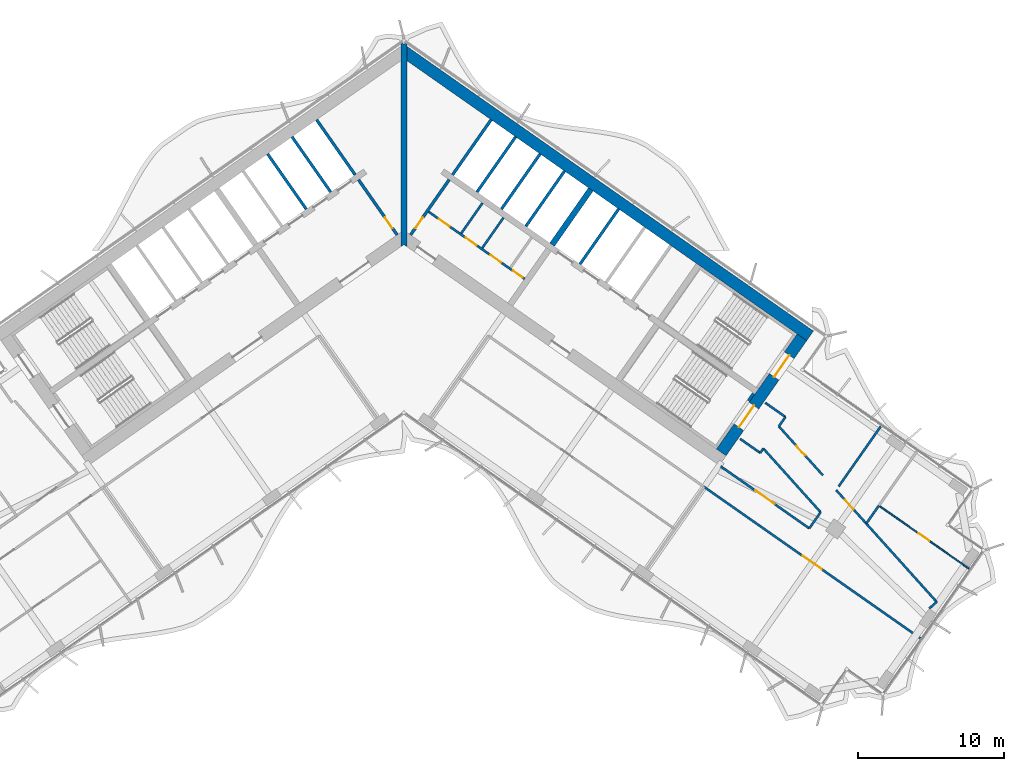
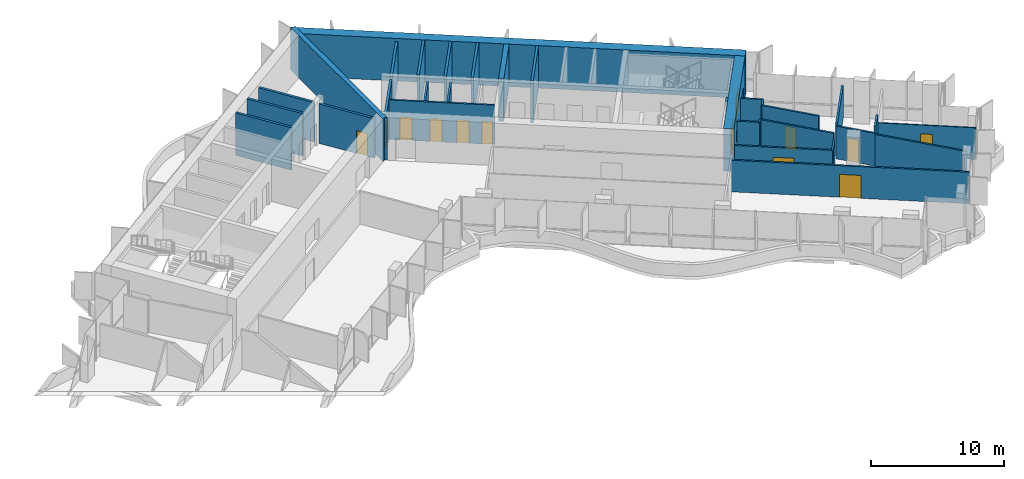
# One storey, part 14 of 22: 33 walls, 13 doors, 13 openings.
"""IFC4 building model written with IfcOpenShell, lengths in metres."""

from ifc_helpers import new_model, si_unit, direction, frame, frame_2d, origin, place, context, subcontext, project, spatial, polyline, rectangle, outline, extrude, material, layer, layer_set, type_object, element, fill, save


model = new_model("IFC4")

# Units and contexts
model_context = context("Model", 3, precision=1e-05, world=origin(), true_north=direction((0.0, 1.0)))
body_context = subcontext(model_context, "Body", "Model", "MODEL_VIEW")
ifc_project = project(units=[si_unit("LENGTHUNIT", "METRE"), si_unit("AREAUNIT", "SQUARE_METRE"), si_unit("VOLUMEUNIT", "CUBIC_METRE"), si_unit("PLANEANGLEUNIT", "RADIAN"), si_unit("MASSUNIT", "GRAM", prefix="KILO")], contexts=[model_context])

# Site, building, storey
site_placement = place(None, origin())
site = spatial("IfcSite", under=ifc_project, at=site_placement, CompositionType="ELEMENT")
building_placement = place(site_placement, origin())
building = spatial("IfcBuilding", under=site, at=building_placement, Name="Tel Ilan Convention Tower", CompositionType="ELEMENT")
storey_placement = place(building_placement, frame((0.0, 0.0, 135.89990234375)))
storey = spatial("IfcBuildingStorey", under=building, at=storey_placement, Name="L30", CompositionType="ELEMENT", Elevation=135.89990234375)

# Wall, openings, doors
ifc_material_1 = material(Name="Gypsum Plasterboard on Steel Stud", Category="steel")
ifc_layer_1 = layer(ifc_material_1, 0.14990234375)
ifc_layer_set_1 = layer_set([ifc_layer_1], Name="Core Room Partition Wall 150 mm EI 60")
wall_type_1 = type_object("IfcWallType", Name="Core Room Partition Wall 150 mm EI 60", PredefinedType="PARTITIONING", material=ifc_layer_set_1)
wall_1_placement = place(storey_placement, frame((1.687744140625, 1.015625, 0.0), z_axis=(0.0, 0.0, 1.0), x_axis=(0.819151624752, -0.573577035512, 0.0)))
wall_1 = element("IfcWall", 1, at=wall_1_placement, inside=storey, type_object=wall_type_1, Name="L30 core wall wc-h1", PredefinedType="PARTITIONING", context=body_context, shape_type="SweptSolid", body=[
    extrude(rectangle(XDim=8.0, YDim=0.14990234375, at=frame_2d((4.0, 0.0))), origin(), (0.0, 0.0, 1.0), 3.6201171875),
])
opening_1_placement = place(wall_1_placement, frame((0.85009765625, 0.0, 0.0)))
opening_1 = element("IfcOpeningElement", 2, at=opening_1_placement, cuts=wall_1, Name="Opening CD2411", PredefinedType="OPENING", context=body_context, shape_type="SweptSolid", body=[
    extrude(rectangle(XDim=0.89990234375, YDim=2.10009765625, at=frame_2d((0.449951171875, 1.050048828125))), frame((0.0, 0.0849609375, 0.0), z_axis=(0.0, -1.0, 0.0), x_axis=(1.0, 0.0, 0.0)), (0.0, 0.0, 1.0), 0.169921875),
])
opening_2_placement = place(wall_1_placement, frame((3.10009765625, 0.0, 0.0)))
opening_2 = element("IfcOpeningElement", 3, at=opening_2_placement, cuts=wall_1, Name="Opening CD2408", PredefinedType="OPENING", context=body_context, shape_type="SweptSolid", body=[
    extrude(rectangle(XDim=0.89990234375, YDim=2.10009765625, at=frame_2d((0.449951171875, 1.050048828125))), frame((0.0, 0.0849609375, 0.0), z_axis=(0.0, -1.0, 0.0), x_axis=(1.0, 0.0, 0.0)), (0.0, 0.0, 1.0), 0.169921875),
])
opening_3_placement = place(wall_1_placement, frame((5.14990234375, 0.0, 0.0)))
opening_3 = element("IfcOpeningElement", 4, at=opening_3_placement, cuts=wall_1, Name="Opening CD2410", PredefinedType="OPENING", context=body_context, shape_type="SweptSolid", body=[
    extrude(rectangle(XDim=0.89990234375, YDim=2.10009765625, at=frame_2d((0.449951171875, 1.050048828125))), frame((0.0, 0.0849609375, 0.0), z_axis=(0.0, -1.0, 0.0), x_axis=(1.0, 0.0, 0.0)), (0.0, 0.0, 1.0), 0.169921875),
])
opening_4_placement = place(wall_1_placement, frame((7.02490234375, 0.0, 0.0)))
opening_4 = element("IfcOpeningElement", 5, at=opening_4_placement, cuts=wall_1, Name="Opening CD2409", PredefinedType="OPENING", context=body_context, shape_type="SweptSolid", body=[
    extrude(rectangle(XDim=0.800048828125, YDim=2.10009765625, at=frame_2d((0.39990234375, 1.050048828125))), frame((0.0, 0.0849609375, 0.0), z_axis=(0.0, -1.0, 0.0), x_axis=(1.0, 0.0, 0.0)), (0.0, 0.0, 1.0), 0.169921875),
])
ifc_material_2 = material(Name="Galvanised Steel Door Leaf", Category="steel")
door_type_1 = type_object("IfcDoorType", Name="Store Door 800 x 2100 FD60", OperationType="NOTDEFINED", PredefinedType="DOOR", material=ifc_material_2)
door_1_placement = place(opening_4_placement, origin())
door_1 = element("IfcDoor", 6, at=door_1_placement, inside=storey, type_object=door_type_1, Name="Cleaner's store door", OperationType="SINGLE_SWING_RIGHT", OverallHeight=2.10009765625, OverallWidth=0.800048828125, PredefinedType="DOOR", context=body_context, shape_type="SweptSolid", body=[
    extrude(rectangle(XDim=0.800048828125, YDim=2.10009765625, at=frame_2d((0.39990234375, 1.050048828125))), frame((0.0, 0.02490234375, 0.0), z_axis=(0.0, -1.0, 0.0), x_axis=(1.0, 0.0, 0.0)), (0.0, 0.0, 1.0), 0.050048828125),
])
fill(opening_4, door_1)
ifc_material_3 = material(Name="Laminated Timber Door Leaf", Category="wood")
door_type_2 = type_object("IfcDoorType", Name="Toilet Door 900 x 2100 FD30S", OperationType="NOTDEFINED", PredefinedType="DOOR", material=ifc_material_3)
door_2_placement = place(opening_1_placement, origin())
door_2 = element("IfcDoor", 7, at=door_2_placement, inside=storey, type_object=door_type_2, Name="Women's WC door", OperationType="SINGLE_SWING_RIGHT", OverallHeight=2.10009765625, OverallWidth=0.89990234375, PredefinedType="DOOR", context=body_context, shape_type="SweptSolid", body=[
    extrude(rectangle(XDim=0.89990234375, YDim=2.10009765625, at=frame_2d((0.449951171875, 1.050048828125))), frame((0.0, 0.02490234375, 0.0), z_axis=(0.0, -1.0, 0.0), x_axis=(1.0, 0.0, 0.0)), (0.0, 0.0, 1.0), 0.050048828125),
])
fill(opening_1, door_2)
door_3_placement = place(opening_2_placement, origin())
door_3 = element("IfcDoor", 8, at=door_3_placement, inside=storey, type_object=door_type_2, Name="Accessible WC door", OperationType="SINGLE_SWING_RIGHT", OverallHeight=2.10009765625, OverallWidth=0.89990234375, PredefinedType="DOOR", context=body_context, shape_type="SweptSolid", body=[
    extrude(rectangle(XDim=0.89990234375, YDim=2.10009765625, at=frame_2d((0.449951171875, 1.050048828125))), frame((0.0, 0.02490234375, 0.0), z_axis=(0.0, -1.0, 0.0), x_axis=(1.0, 0.0, 0.0)), (0.0, 0.0, 1.0), 0.050048828125),
])
fill(opening_2, door_3)
door_4_placement = place(opening_3_placement, origin())
door_4 = element("IfcDoor", 9, at=door_4_placement, inside=storey, type_object=door_type_2, Name="Men's WC door", OperationType="SINGLE_SWING_RIGHT", OverallHeight=2.10009765625, OverallWidth=0.89990234375, PredefinedType="DOOR", context=body_context, shape_type="SweptSolid", body=[
    extrude(rectangle(XDim=0.89990234375, YDim=2.10009765625, at=frame_2d((0.449951171875, 1.050048828125))), frame((0.0, 0.02490234375, 0.0), z_axis=(0.0, -1.0, 0.0), x_axis=(1.0, 0.0, 0.0)), (0.0, 0.0, 1.0), 0.050048828125),
])
fill(opening_3, door_4)

# Walls
for number, where, z_axis, x_axis, name in (
    (10, (3.922119140625, -0.457275390625, 0.0), (0.0, 0.0, 1.0), (0.573566168143, 0.81915923407, 0.0), "L30 core wall wc-v0"),
    (11, (5.35546875, -1.4609375, 0.0), (0.0, 0.0, 1.0), (0.573566168143, 0.81915923407, 0.0), "L30 core wall wc-v1"),
):
    element("IfcWall", number, at=place(storey_placement, frame(where, z_axis=z_axis, x_axis=x_axis)), inside=storey, type_object=wall_type_1, Name=name, PredefinedType="PARTITIONING", context=body_context, shape_type="SweptSolid", body=[
        extrude(rectangle(XDim=2.52490234375, YDim=0.14990234375, at=frame_2d((1.262451171875, 0.0))), origin(), (0.0, 0.0, 1.0), 3.6201171875),
    ])

# Wall, opening, door
ifc_material_4 = material(Name="Concrete C30/37", Category="concrete")
ifc_layer_2 = layer(ifc_material_4, 0.199951171875)
ifc_layer_set_2 = layer_set([ifc_layer_2], Name="Core Service Room Wall 200 mm C30/37")
wall_type_2 = type_object("IfcWallType", Name="Core Service Room Wall 200 mm C30/37", PredefinedType="SOLIDWALL", material=ifc_layer_set_2)
wall_2_placement = place(storey_placement, frame((-0.458740234375, -0.565185546875, 0.0), z_axis=(0.0, 0.0, 1.0), x_axis=(-0.573576324356, 0.819152122709, 0.0)))
wall_2 = element("IfcWall", 12, at=wall_2_placement, inside=storey, type_object=wall_type_2, Name="L30 core wall apex-W", PredefinedType="SOLIDWALL", context=body_context, shape_type="SweptSolid", body=[
    extrude(rectangle(XDim=4.599853515625, YDim=0.199951171875, at=frame_2d((2.2998046875, 0.0))), origin(), (0.0, 0.0, 1.0), 3.6201171875),
])
opening_5_placement = place(wall_2_placement, frame((0.550048828125, 0.0, 0.0)))
opening_5 = element("IfcOpeningElement", 13, at=opening_5_placement, cuts=wall_2, Name="Opening CD2402", PredefinedType="OPENING", context=body_context, shape_type="SweptSolid", body=[
    extrude(rectangle(XDim=0.89990234375, YDim=2.10009765625, at=frame_2d((0.449951171875, 1.050048828125))), frame((0.0, 0.10986328125, 0.0), z_axis=(0.0, -1.0, 0.0), x_axis=(1.0, 0.0, 0.0)), (0.0, 0.0, 1.0), 0.219970703125),
])
ifc_material_5 = material(Name="Galvanised Steel Door Leaf", Category="steel")
door_type_3 = type_object("IfcDoorType", Name="Service Room Door 900 x 2100 FD60", OperationType="NOTDEFINED", PredefinedType="DOOR", material=ifc_material_5)
door_5_placement = place(opening_5_placement, origin())
door_5 = element("IfcDoor", 14, at=door_5_placement, inside=storey, type_object=door_type_3, Name="Telecom Room door", OperationType="SINGLE_SWING_RIGHT", OverallHeight=2.10009765625, OverallWidth=0.89990234375, PredefinedType="DOOR", context=body_context, shape_type="SweptSolid", body=[
    extrude(rectangle(XDim=0.89990234375, YDim=2.10009765625, at=frame_2d((0.449951171875, 1.050048828125))), frame((0.0, 0.02490234375, 0.0), z_axis=(0.0, -1.0, 0.0), x_axis=(1.0, 0.0, 0.0)), (0.0, 0.0, 1.0), 0.050048828125),
])
fill(opening_5, door_5)

# Wall
wall_3_placement = place(storey_placement, frame((-3.32666015625, 3.530517578125, 0.0), z_axis=(0.0, 0.0, 1.0), x_axis=(-0.573576324356, 0.819152122709, 0.0)))
element("IfcWall", 15, at=wall_3_placement, inside=storey, type_object=wall_type_2, Name="L30 core wall apex-W-b", PredefinedType="SOLIDWALL", context=body_context, shape_type="SweptSolid", body=[
    extrude(rectangle(XDim=4.599853515625, YDim=0.199951171875, at=frame_2d((2.2998046875, 0.0))), origin(), (0.0, 0.0, 1.0), 3.6201171875),
])

# Wall, opening, door
wall_4_placement = place(storey_placement, frame((0.458740234375, -0.565185546875, 0.0), z_axis=(0.0, 0.0, 1.0), x_axis=(0.573576324356, 0.819152122709, 0.0)))
wall_4 = element("IfcWall", 16, at=wall_4_placement, inside=storey, type_object=wall_type_2, Name="L30 core wall apex-E", PredefinedType="SOLIDWALL", context=body_context, shape_type="SweptSolid", body=[
    extrude(rectangle(XDim=4.599853515625, YDim=0.199951171875, at=frame_2d((2.2998046875, 0.0))), origin(), (0.0, 0.0, 1.0), 3.6201171875),
])
opening_6_placement = place(wall_4_placement, frame((0.550048828125, 0.0, 0.0)))
opening_6 = element("IfcOpeningElement", 17, at=opening_6_placement, cuts=wall_4, Name="Opening CD2401", PredefinedType="OPENING", context=body_context, shape_type="SweptSolid", body=[
    extrude(rectangle(XDim=0.89990234375, YDim=2.10009765625, at=frame_2d((0.449951171875, 1.050048828125))), frame((0.0, 0.10986328125, 0.0), z_axis=(0.0, -1.0, 0.0), x_axis=(1.0, 0.0, 0.0)), (0.0, 0.0, 1.0), 0.219970703125),
])
door_6_placement = place(opening_6_placement, origin())
door_6 = element("IfcDoor", 18, at=door_6_placement, inside=storey, type_object=door_type_3, Name="Data Room door", OperationType="SINGLE_SWING_RIGHT", OverallHeight=2.10009765625, OverallWidth=0.89990234375, PredefinedType="DOOR", context=body_context, shape_type="SweptSolid", body=[
    extrude(rectangle(XDim=0.89990234375, YDim=2.10009765625, at=frame_2d((0.449951171875, 1.050048828125))), frame((0.0, 0.02490234375, 0.0), z_axis=(0.0, -1.0, 0.0), x_axis=(1.0, 0.0, 0.0)), (0.0, 0.0, 1.0), 0.050048828125),
])
fill(opening_6, door_6)

# Walls
wall_5_placement = place(storey_placement, frame((3.32666015625, 3.530517578125, 0.0), z_axis=(0.0, 0.0, 1.0), x_axis=(0.573576324356, 0.819152122709, 0.0)))
element("IfcWall", 19, at=wall_5_placement, inside=storey, type_object=wall_type_2, Name="L30 core wall apex-E-b", PredefinedType="SOLIDWALL", context=body_context, shape_type="SweptSolid", body=[
    extrude(rectangle(XDim=4.599853515625, YDim=0.199951171875, at=frame_2d((2.2998046875, 0.0))), origin(), (0.0, 0.0, 1.0), 3.6201171875),
])
ifc_material_6 = material(Name="Concrete C50/60", Category="concrete")
ifc_layer_3 = layer(ifc_material_6, 0.39990234375)
ifc_layer_set_3 = layer_set([ifc_layer_3], Name="Core Shear Wall 400 mm C50/60")
wall_type_3 = type_object("IfcWallType", Name="Core Shear Wall 400 mm C50/60", PredefinedType="SHEAR", material=ifc_layer_set_3)
wall_6_placement = place(storey_placement, frame((10.12548828125, -1.230224609375, 0.0), z_axis=(0.0, 0.0, 1.0), x_axis=(0.573576324356, 0.819152122709, 0.0)))
element("IfcWall", 20, at=wall_6_placement, inside=storey, type_object=wall_type_3, Name="L30 core wall E-cross1-2", PredefinedType="SHEAR", context=body_context, shape_type="SweptSolid", body=[
    extrude(outline(polyline([(4.599853515625, -0.199951171875), (4.60009765625, 0.199951171875), (0.0, 0.199951171875), (0.0, -0.2001953125), (4.599853515625, -0.199951171875)])), origin(), (0.0, 0.0, 1.0), 3.900146484375),
])
wall_7_placement = place(storey_placement, frame((0.0, -1.36083984375, 0.0), z_axis=(0.0, 0.0, 1.0), x_axis=(0.0, 1.0, 0.0)))
element("IfcWall", 21, at=wall_7_placement, inside=storey, type_object=wall_type_3, Name="L30 core wall K-central", PredefinedType="SHEAR", context=body_context, shape_type="SweptSolid", body=[
    extrude(outline(polyline([(0.0, -0.199951171875), (0.14013671875, -0.199951171875), (1.0751953125, -0.199951171875), (12.696044921875, -0.199951171875), (13.812744140625, -0.199951171875), (13.893310546875, -0.199951171875), (13.933349609375, -0.172119140625), (13.812744140625, 0.0), (13.933349609375, 0.172119140625), (13.893310546875, 0.199951171875), (13.812744140625, 0.199951171875), (12.696044921875, 0.199951171875), (1.0751953125, 0.199951171875), (0.14013671875, 0.199951171875), (0.0, 0.199951171875), (0.14013671875, 0.0), (0.0, -0.199951171875)])), origin(), (0.0, 0.0, 1.0), 3.900146484375),
])
ifc_material_7 = material(Name="Concrete C50/60", Category="concrete")
ifc_layer_4 = layer(ifc_material_7, 0.800048828125)
ifc_layer_set_4 = layer_set([ifc_layer_4], Name="Core Shear Wall 800 mm C50/60")
wall_type_4 = type_object("IfcWallType", Name="Core Shear Wall 800 mm C50/60", PredefinedType="SHEAR", material=ifc_layer_set_4)
wall_8_placement = place(storey_placement, frame((-0.029296875, 11.984130859375, 0.0), z_axis=(0.0, 0.0, 1.0), x_axis=(0.819151382952, -0.573577380837, 0.0)))
element("IfcWall", 22, at=wall_8_placement, inside=storey, type_object=wall_type_4, Name="L30 core wall E-back", PredefinedType="SHEAR", context=body_context, shape_type="SweptSolid", body=[
    extrude(outline(polyline([(33.897705078125, 0.400146484375), (-0.000244140625, 0.39990234375), (0.56005859375, -0.400146484375), (33.897705078125, -0.39990234375), (33.897705078125, 0.400146484375)])), origin(), (0.0, 0.0, 1.0), 3.900146484375),
])

# Wall, openings, doors
wall_9_placement = place(storey_placement, frame((21.6748046875, -15.4208984375, 0.0), z_axis=(0.0, 0.0, 1.0), x_axis=(0.573581815061, 0.819148278049, 0.0)))
wall_9 = element("IfcWall", 23, at=wall_9_placement, inside=storey, type_object=wall_type_4, Name="L30 core wall E-end", PredefinedType="SHEAR", context=body_context, shape_type="SweptSolid", body=[
    extrude(outline(polyline([(9.599853515625, 0.400146484375), (0.0, 0.39990234375), (0.0, -0.39990234375), (9.599853515625, -0.39990234375), (9.599853515625, 0.400146484375)])), origin(), (0.0, 0.0, 1.0), 3.900146484375),
])
opening_7_placement = place(wall_9_placement, frame((6.300048828125, 0.0, 0.0)))
opening_7 = element("IfcOpeningElement", 24, at=opening_7_placement, cuts=wall_9, Name="Opening SD2403", PredefinedType="OPENING", context=body_context, shape_type="SweptSolid", body=[
    extrude(rectangle(XDim=1.800048828125, YDim=2.10009765625, at=frame_2d((0.89990234375, 1.050048828125))), frame((0.0, 0.409912109375, 0.0), z_axis=(0.0, -1.0, 0.0), x_axis=(1.0, 0.0, 0.0)), (0.0, 0.0, 1.0), 0.820068359375),
])
opening_8_placement = place(wall_9_placement, frame((2.10009765625, 0.0, 0.0)))
opening_8 = element("IfcOpeningElement", 25, at=opening_8_placement, cuts=wall_9, Name="Opening SD2404", PredefinedType="OPENING", context=body_context, shape_type="SweptSolid", body=[
    extrude(rectangle(XDim=1.800048828125, YDim=2.10009765625, at=frame_2d((0.89990234375, 1.050048828125))), frame((0.0, 0.409912109375, 0.0), z_axis=(0.0, -1.0, 0.0), x_axis=(1.0, 0.0, 0.0)), (0.0, 0.0, 1.0), 0.820068359375),
])
ifc_material_8 = material(Name="Galvanised Steel Door Leaf", Category="steel")
door_type_4 = type_object("IfcDoorType", Name="Stair Fire Door 1800 x 2100 FD60S", OperationType="NOTDEFINED", PredefinedType="DOOR", material=ifc_material_8)
door_7_placement = place(opening_7_placement, origin())
door_7 = element("IfcDoor", 26, at=door_7_placement, inside=storey, type_object=door_type_4, Name="Stair S3 door", OperationType="DOUBLE_DOOR_SINGLE_SWING", OverallHeight=2.10009765625, OverallWidth=1.800048828125, PredefinedType="DOOR", context=body_context, shape_type="SweptSolid", body=[
    extrude(rectangle(XDim=1.800048828125, YDim=2.10009765625, at=frame_2d((0.89990234375, 1.050048828125))), frame((0.0, 0.02490234375, 0.0), z_axis=(0.0, -1.0, 0.0), x_axis=(1.0, 0.0, 0.0)), (0.0, 0.0, 1.0), 0.050048828125),
])
fill(opening_7, door_7)
door_8_placement = place(opening_8_placement, origin())
door_8 = element("IfcDoor", 27, at=door_8_placement, inside=storey, type_object=door_type_4, Name="Stair S4 door", OperationType="DOUBLE_DOOR_SINGLE_SWING", OverallHeight=2.10009765625, OverallWidth=1.800048828125, PredefinedType="DOOR", context=body_context, shape_type="SweptSolid", body=[
    extrude(rectangle(XDim=1.800048828125, YDim=2.10009765625, at=frame_2d((0.89990234375, 1.050048828125))), frame((0.0, 0.02490234375, 0.0), z_axis=(0.0, -1.0, 0.0), x_axis=(1.0, 0.0, 0.0)), (0.0, 0.0, 1.0), 0.050048828125),
])
fill(opening_8, door_8)

# Wall, opening, door
ifc_material_9 = material(Name="Plasterboard on Steel Studs", Category="steel")
ifc_layer_5 = layer(ifc_material_9, 0.14990234375)
ifc_layer_set_5 = layer_set([ifc_layer_5], Name="Fire-rated Partition 150 EI 60")
wall_type_5 = type_object("IfcWallType", Name="Fire-rated Partition 150 EI 60", PredefinedType="PARTITIONING", material=ifc_layer_set_5)
wall_10_placement = place(storey_placement, frame((21.641845703125, -16.37451171875, 0.0), z_axis=(0.0, 0.0, 1.0), x_axis=(0.819148008851, -0.573582199511, 0.0)))
wall_10 = element("IfcWall", 28, at=wall_10_placement, inside=storey, type_object=wall_type_5, Name="Partition 001", PredefinedType="PARTITIONING", context=body_context, shape_type="SweptSolid", body=[
    extrude(rectangle(XDim=7.3818359375, YDim=0.14990234375, at=frame_2d((3.69091796875, 0.0))), origin(), (0.0, 0.0, 1.0), 3.0),
])
opening_9_placement = place(wall_10_placement, frame((2.89111328125, 0.0, 0.0)))
opening_9 = element("IfcOpeningElement", 29, at=opening_9_placement, cuts=wall_10, Name="Opening L30-012", PredefinedType="OPENING", context=body_context, shape_type="SweptSolid", body=[
    extrude(rectangle(XDim=1.60009765625, YDim=2.10009765625, at=frame_2d((0.800048828125, 1.050048828125))), frame((0.0, 0.0849609375, 0.0), z_axis=(0.0, -1.0, 0.0), x_axis=(1.0, 0.0, 0.0)), (0.0, 0.0, 1.0), 0.169921875),
])
ifc_material_10 = material(Name="Timber Door Leaf in Steel Frame", Category="steel")
door_type_5 = type_object("IfcDoorType", Name="Tenant Suite Entrance Fire Door 1600x2100", OperationType="NOTDEFINED", PredefinedType="DOOR", material=ifc_material_10)
door_9_placement = place(opening_9_placement, origin())
door_9 = element("IfcDoor", 30, at=door_9_placement, inside=storey, type_object=door_type_5, Name="Door L30-012", OperationType="DOUBLE_DOOR_SINGLE_SWING", OverallHeight=2.10009765625, OverallWidth=1.60009765625, PredefinedType="DOOR", context=body_context, shape_type="SweptSolid", body=[
    extrude(rectangle(XDim=1.60009765625, YDim=2.10009765625, at=frame_2d((0.800048828125, 1.050048828125))), frame((0.0, 0.02490234375, 0.0), z_axis=(0.0, -1.0, 0.0), x_axis=(1.0, 0.0, 0.0)), (0.0, 0.0, 1.0), 0.050048828125),
])
fill(opening_9, door_9)

wall_11_placement = place(storey_placement, frame((35.25634765625, -28.103759765625, 0.0), z_axis=(0.0, 0.0, 1.0), x_axis=(-0.819170750417, 0.573549720305, 0.0)))
wall_11 = element("IfcWall", 31, at=wall_11_placement, inside=storey, type_object=wall_type_5, Name="Partition 003", PredefinedType="PARTITIONING", context=body_context, shape_type="SweptSolid", body=[
    extrude(rectangle(XDim=18.001953125, YDim=0.14990234375, at=frame_2d((9.0009765625, 0.0))), origin(), (0.0, 0.0, 1.0), 2.900146484375),
])
opening_10_placement = place(wall_11_placement, frame((8.200927734375, 0.0, 0.0)))
opening_10 = element("IfcOpeningElement", 32, at=opening_10_placement, cuts=wall_11, Name="Opening L30-011", PredefinedType="OPENING", context=body_context, shape_type="SweptSolid", body=[
    extrude(rectangle(XDim=1.60009765625, YDim=2.10009765625, at=frame_2d((0.800048828125, 1.050048828125))), frame((0.0, 0.0849609375, 0.0), z_axis=(0.0, -1.0, 0.0), x_axis=(1.0, 0.0, 0.0)), (0.0, 0.0, 1.0), 0.169921875),
])
door_10_placement = place(opening_10_placement, origin())
door_10 = element("IfcDoor", 33, at=door_10_placement, inside=storey, type_object=door_type_5, Name="Door L30-011", OperationType="DOUBLE_DOOR_SINGLE_SWING", OverallHeight=2.10009765625, OverallWidth=1.60009765625, PredefinedType="DOOR", context=body_context, shape_type="SweptSolid", body=[
    extrude(rectangle(XDim=1.60009765625, YDim=2.10009765625, at=frame_2d((0.800048828125, 1.050048828125))), frame((0.0, 0.02490234375, 0.0), z_axis=(0.0, -1.0, 0.0), x_axis=(1.0, 0.0, 0.0)), (0.0, 0.0, 1.0), 0.050048828125),
])
fill(opening_10, door_10)

# Wall
wall_12_placement = place(storey_placement, frame((32.5625, -13.644775390625, 0.0), z_axis=(0.0, 0.0, 1.0), x_axis=(-0.573557394979, -0.819165376872, 0.0)))
element("IfcWall", 34, at=wall_12_placement, inside=storey, type_object=wall_type_5, Name="Partition 010", PredefinedType="PARTITIONING", context=body_context, shape_type="SweptSolid", body=[
    extrude(rectangle(XDim=4.9990234375, YDim=0.14990234375, at=frame_2d((2.49951171875, 0.0))), origin(), (0.0, 0.0, 1.0), 3.0),
])

# Wall, opening, door
wall_13_placement = place(storey_placement, frame((28.612060546875, -16.981201171875, 0.0), z_axis=(0.0, 0.0, 1.0), x_axis=(-0.668538381342, 0.743677640293, 0.0)))
wall_13 = element("IfcWall", 35, at=wall_13_placement, inside=storey, type_object=wall_type_5, Name="Partition 011", PredefinedType="PARTITIONING", context=body_context, shape_type="SweptSolid", body=[
    extrude(rectangle(XDim=4.49365234375, YDim=0.14990234375, at=frame_2d((2.246826171875, 0.0))), origin(), (0.0, 0.0, 1.0), 3.6201171875),
])
opening_11_placement = place(wall_13_placement, frame((1.796875, 0.0, 0.0)))
opening_11 = element("IfcOpeningElement", 36, at=opening_11_placement, cuts=wall_13, Name="Opening L30-014", PredefinedType="OPENING", context=body_context, shape_type="SweptSolid", body=[
    extrude(rectangle(XDim=0.89990234375, YDim=2.10009765625, at=frame_2d((0.449951171875, 1.050048828125))), frame((0.0, 0.0849609375, 0.0), z_axis=(0.0, -1.0, 0.0), x_axis=(1.0, 0.0, 0.0)), (0.0, 0.0, 1.0), 0.169921875),
])
ifc_material_11 = material(Name="Timber Door Leaf in Steel Frame", Category="steel")
door_type_6 = type_object("IfcDoorType", Name="Room Fire Door 900x2100", OperationType="NOTDEFINED", PredefinedType="DOOR", material=ifc_material_11)
door_11_placement = place(opening_11_placement, origin())
door_11 = element("IfcDoor", 37, at=door_11_placement, inside=storey, type_object=door_type_6, Name="Door L30-014", OperationType="SINGLE_SWING_RIGHT", OverallHeight=2.10009765625, OverallWidth=0.89990234375, PredefinedType="DOOR", context=body_context, shape_type="SweptSolid", body=[
    extrude(rectangle(XDim=0.89990234375, YDim=2.10009765625, at=frame_2d((0.449951171875, 1.050048828125))), frame((0.0, 0.02490234375, 0.0), z_axis=(0.0, -1.0, 0.0), x_axis=(1.0, 0.0, 0.0)), (0.0, 0.0, 1.0), 0.050048828125),
])
fill(opening_11, door_11)

# Walls
wall_14_placement = place(storey_placement, frame((25.60791015625, -13.639404296875, 0.0), z_axis=(0.0, 0.0, 1.0), x_axis=(0.573441461918, 0.819246537835, 0.0)))
element("IfcWall", 38, at=wall_14_placement, inside=storey, type_object=wall_type_5, Name="Partition 012", PredefinedType="PARTITIONING", context=body_context, shape_type="SweptSolid", body=[
    extrude(rectangle(XDim=0.78466796875, YDim=0.14990234375, at=frame_2d((0.392333984375, 0.0))), origin(), (0.0, 0.0, 1.0), 3.6201171875),
])
for number, where, z_axis, x_axis, name in (
    (39, (26.057861328125, -12.99658203125, 0.0), (0.0, 0.0, 1.0), (-0.819109000826, 0.573637903879, 0.0), "Partition 013"),
    (40, (22.961181640625, -14.490478515625, 0.0), (0.0, 0.0, 1.0), (0.819109000826, -0.573637903879, 0.0), "Partition 014"),
):
    element("IfcWall", number, at=place(storey_placement, frame(where, z_axis=z_axis, x_axis=x_axis)), inside=storey, type_object=wall_type_5, Name=name, PredefinedType="PARTITIONING", context=body_context, shape_type="SweptSolid", body=[
        extrude(rectangle(XDim=1.679931640625, YDim=0.14990234375, at=frame_2d((0.83984375, 0.0))), origin(), (0.0, 0.0, 1.0), 3.6201171875),
    ])
wall_15_placement = place(storey_placement, frame((24.337158203125, -15.4541015625, 0.0), z_axis=(0.0, 0.0, 1.0), x_axis=(0.573551446031, 0.819169542132, 0.0)))
element("IfcWall", 41, at=wall_15_placement, inside=storey, type_object=wall_type_5, Name="Partition 015", PredefinedType="PARTITIONING", context=body_context, shape_type="SweptSolid", body=[
    extrude(rectangle(XDim=0.36767578125, YDim=0.14990234375, at=frame_2d((0.183837890625, 0.0))), origin(), (0.0, 0.0, 1.0), 3.6201171875),
])
wall_16_placement = place(storey_placement, frame((24.548095703125, -15.15283203125, 0.0), z_axis=(0.0, 0.0, 1.0), x_axis=(0.668533527576, -0.743682003619, 0.0)))
element("IfcWall", 42, at=wall_16_placement, inside=storey, type_object=wall_type_5, Name="Partition 016", PredefinedType="PARTITIONING", context=body_context, shape_type="SweptSolid", body=[
    extrude(rectangle(XDim=5.85107421875, YDim=0.14990234375, at=frame_2d((2.925537109375, 0.0))), origin(), (0.0, 0.0, 1.0), 3.6201171875),
])
wall_17_placement = place(storey_placement, frame((28.459716796875, -19.504150390625, 0.0), z_axis=(0.0, 0.0, 1.0), x_axis=(-0.573547503037, -0.819172302852, 0.0)))
element("IfcWall", 43, at=wall_17_placement, inside=storey, type_object=wall_type_5, Name="Partition 017", PredefinedType="PARTITIONING", context=body_context, shape_type="SweptSolid", body=[
    extrude(rectangle(XDim=1.346923828125, YDim=0.14990234375, at=frame_2d((0.67333984375, 0.0))), origin(), (0.0, 0.0, 1.0), 3.0),
])
wall_18_placement = place(storey_placement, frame((32.440185546875, -19.050048828125, 0.0), z_axis=(0.0, 0.0, 1.0), x_axis=(-0.573604109136, -0.8191326669, 0.0)))
element("IfcWall", 44, at=wall_18_placement, inside=storey, type_object=wall_type_5, Name="Partition 019", PredefinedType="PARTITIONING", context=body_context, shape_type="SweptSolid", body=[
    extrude(rectangle(XDim=1.50244140625, YDim=0.14990234375, at=frame_2d((0.751220703125, 0.0))), origin(), (0.0, 0.0, 1.0), 3.6201171875),
])

# Wall, opening, door
wall_19_placement = place(storey_placement, frame((31.578369140625, -20.28076171875, 0.0), z_axis=(0.0, 0.0, 1.0), x_axis=(-0.668570426306, 0.743648831821, 0.0)))
wall_19 = element("IfcWall", 45, at=wall_19_placement, inside=storey, type_object=wall_type_5, Name="Partition 020", PredefinedType="PARTITIONING", context=body_context, shape_type="SweptSolid", body=[
    extrude(rectangle(XDim=3.079345703125, YDim=0.14990234375, at=frame_2d((1.53955078125, 0.0))), origin(), (0.0, 0.0, 1.0), 3.0),
])
opening_12_placement = place(wall_19_placement, frame((1.289794921875, 0.0, 0.0)))
opening_12 = element("IfcOpeningElement", 46, at=opening_12_placement, cuts=wall_19, Name="Opening L30-015", PredefinedType="OPENING", context=body_context, shape_type="SweptSolid", body=[
    extrude(rectangle(XDim=0.89990234375, YDim=2.10009765625, at=frame_2d((0.449951171875, 1.050048828125))), frame((0.0, 0.0849609375, 0.0), z_axis=(0.0, -1.0, 0.0), x_axis=(1.0, 0.0, 0.0)), (0.0, 0.0, 1.0), 0.169921875),
])
door_12_placement = place(opening_12_placement, origin())
door_12 = element("IfcDoor", 47, at=door_12_placement, inside=storey, type_object=door_type_6, Name="Door L30-015", OperationType="SINGLE_SWING_RIGHT", OverallHeight=2.10009765625, OverallWidth=0.89990234375, PredefinedType="DOOR", context=body_context, shape_type="SweptSolid", body=[
    extrude(rectangle(XDim=0.89990234375, YDim=2.10009765625, at=frame_2d((0.449951171875, 1.050048828125))), frame((0.0, 0.02490234375, 0.0), z_axis=(0.0, -1.0, 0.0), x_axis=(1.0, 0.0, 0.0)), (0.0, 0.0, 1.0), 0.050048828125),
])
fill(opening_12, door_12)

# Walls
wall_20_placement = place(storey_placement, frame((35.8828125, -26.07763671875, 0.0), z_axis=(0.0, 0.0, 1.0), x_axis=(0.743600238958, 0.668624472049, 0.0)))
element("IfcWall", 48, at=wall_20_placement, inside=storey, type_object=wall_type_5, Name="Partition 022", PredefinedType="PARTITIONING", context=body_context, shape_type="SweptSolid", body=[
    extrude(rectangle(XDim=0.674072265625, YDim=0.14990234375, at=frame_2d((0.3369140625, 0.0))), origin(), (0.0, 0.0, 1.0), 2.900146484375),
])
wall_21_placement = place(storey_placement, frame((36.384033203125, -25.626953125, 0.0), z_axis=(0.0, 0.0, 1.0), x_axis=(-0.668510527513, 0.743702678901, 0.0)))
element("IfcWall", 49, at=wall_21_placement, inside=storey, type_object=wall_type_5, Name="Partition 023", PredefinedType="PARTITIONING", context=body_context, shape_type="SweptSolid", body=[
    extrude(rectangle(XDim=7.188720703125, YDim=0.14990234375, at=frame_2d((3.59423828125, 0.0))), origin(), (0.0, 0.0, 1.0), 2.900146484375),
])
ifc_material_12 = material(Name="Concrete C30/37", Category="concrete")
ifc_layer_6 = layer(ifc_material_12, 0.199951171875)
ifc_layer_set_6 = layer_set([ifc_layer_6], Name="Lift Shaft Wall 200 mm C30/37")
wall_type_6 = type_object("IfcWallType", Name="Lift Shaft Wall 200 mm C30/37", PredefinedType="SOLIDWALL", material=ifc_layer_set_6)
for number, where, z_axis, x_axis, name in (
    (50, (-4.99560546875, 2.36181640625, 0.0), (0.0, 0.0, 1.0), (-0.573576324356, 0.819152122709, 0.0), "L30 core wall bank-W1-p0"),
    (51, (-6.66455078125, 1.193115234375, 0.0), (0.0, 0.0, 1.0), (-0.573576324356, 0.819152122709, 0.0), "L30 core wall bank-W1-p1"),
    (52, (4.99560546875, 2.36181640625, 0.0), (0.0, 0.0, 1.0), (0.573576324356, 0.819152122709, 0.0), "L30 core wall bank-E1-p0"),
    (53, (6.66455078125, 1.193115234375, 0.0), (0.0, 0.0, 1.0), (0.573576324356, 0.819152122709, 0.0), "L30 core wall bank-E1-p1"),
):
    element("IfcWall", number, at=place(storey_placement, frame(where, z_axis=z_axis, x_axis=x_axis)), inside=storey, type_object=wall_type_6, Name=name, PredefinedType="SOLIDWALL", context=body_context, shape_type="SweptSolid", body=[
        extrude(rectangle(XDim=4.599853515625, YDim=0.199951171875, at=frame_2d((2.2998046875, 0.0))), origin(), (0.0, 0.0, 1.0), 3.900146484375),
    ])
wall_22_placement = place(storey_placement, frame((8.33349609375, 0.0244140625, 0.0), z_axis=(0.0, 0.0, 1.0), x_axis=(0.573611936273, 0.819127185829, 0.0)))
element("IfcWall", 54, at=wall_22_placement, inside=storey, type_object=wall_type_6, Name="L30 core wall bank-E1-p2", PredefinedType="SOLIDWALL", context=body_context, shape_type="SweptSolid", body=[
    extrude(rectangle(XDim=4.60009765625, YDim=0.199951171875, at=frame_2d((2.300048828125, 0.0))), origin(), (0.0, 0.0, 1.0), 3.900146484375),
])
wall_23_placement = place(storey_placement, frame((12.030029296875, -2.563720703125, 0.0), z_axis=(0.0, 0.0, 1.0), x_axis=(0.573576324356, 0.819152122709, 0.0)))
element("IfcWall", 55, at=wall_23_placement, inside=storey, type_object=wall_type_6, Name="L30 core wall bank-E2-p0", PredefinedType="SOLIDWALL", context=body_context, shape_type="SweptSolid", body=[
    extrude(rectangle(XDim=4.599853515625, YDim=0.199951171875, at=frame_2d((2.2998046875, 0.0))), origin(), (0.0, 0.0, 1.0), 3.900146484375),
])

# Wall, opening, door
ifc_material_13 = material(Name="Plasterboard on Steel Studs", Category="steel")
ifc_layer_7 = layer(ifc_material_13, 0.10009765625)
ifc_layer_set_7 = layer_set([ifc_layer_7], Name="Plasterboard Partition 100")
wall_type_7 = type_object("IfcWallType", Name="Plasterboard Partition 100", PredefinedType="PARTITIONING", material=ifc_layer_set_7)
wall_24_placement = place(storey_placement, frame((32.439453125, -19.05078125, 0.0), z_axis=(0.0, 0.0, 1.0), x_axis=(0.819137093595, -0.573597787563, 0.0)))
wall_24 = element("IfcWall", 56, at=wall_24_placement, inside=storey, type_object=wall_type_7, Name="Partition 021", PredefinedType="PARTITIONING", context=body_context, shape_type="SweptSolid", body=[
    extrude(rectangle(XDim=7.5, YDim=0.10009765625, at=frame_2d((3.75, 0.0))), origin(), (0.0, 0.0, 1.0), 2.900146484375),
])
opening_13_placement = place(wall_24_placement, frame((3.300048828125, 0.0, 0.0)))
opening_13 = element("IfcOpeningElement", 57, at=opening_13_placement, cuts=wall_24, Name="Opening L30-013", PredefinedType="OPENING", context=body_context, shape_type="SweptSolid", body=[
    extrude(rectangle(XDim=0.89990234375, YDim=2.10009765625, at=frame_2d((0.449951171875, 1.050048828125))), frame((0.0, 0.06005859375, 0.0), z_axis=(0.0, -1.0, 0.0), x_axis=(1.0, 0.0, 0.0)), (0.0, 0.0, 1.0), 0.1201171875),
])
ifc_material_14 = material(Name="Timber Door Leaf in Steel Frame", Category="steel")
door_type_7 = type_object("IfcDoorType", Name="Room Timber Door 900x2100", OperationType="NOTDEFINED", PredefinedType="DOOR", material=ifc_material_14)
door_13_placement = place(opening_13_placement, origin())
door_13 = element("IfcDoor", 58, at=door_13_placement, inside=storey, type_object=door_type_7, Name="Door L30-013", OperationType="SINGLE_SWING_LEFT", OverallHeight=2.10009765625, OverallWidth=0.89990234375, PredefinedType="DOOR", context=body_context, shape_type="SweptSolid", body=[
    extrude(rectangle(XDim=0.89990234375, YDim=2.10009765625, at=frame_2d((0.449951171875, 1.050048828125))), frame((0.0, 0.02490234375, 0.0), z_axis=(0.0, -1.0, 0.0), x_axis=(1.0, 0.0, 0.0)), (0.0, 0.0, 1.0), 0.050048828125),
])
fill(opening_13, door_13)

# Wall
ifc_material_15 = material(Name="Concrete C30/37", Category="concrete")
ifc_layer_8 = layer(ifc_material_15, 0.199951171875)
ifc_layer_set_8 = layer_set([ifc_layer_8], Name="Stair and Shaft Lining Wall 200 mm C30/37")
wall_type_8 = type_object("IfcWallType", Name="Stair and Shaft Lining Wall 200 mm C30/37", PredefinedType="SOLIDWALL", material=ifc_layer_set_8)
wall_25_placement = place(storey_placement, frame((23.53076171875, -11.8984375, 0.0), z_axis=(0.0, 0.0, 1.0), x_axis=(0.573708088123, 0.819059844958, 0.0)))
element("IfcWall", 59, at=wall_25_placement, inside=storey, type_object=wall_type_8, Name="L30 core wall lining-S4-u1-1", PredefinedType="SOLIDWALL", context=body_context, shape_type="SweptSolid", body=[
    extrude(rectangle(XDim=0.60009765625, YDim=0.199951171875, at=frame_2d((0.300048828125, 0.0))), origin(), (0.0, 0.0, 1.0), 3.6201171875),
])

save(model, "model.ifc")
